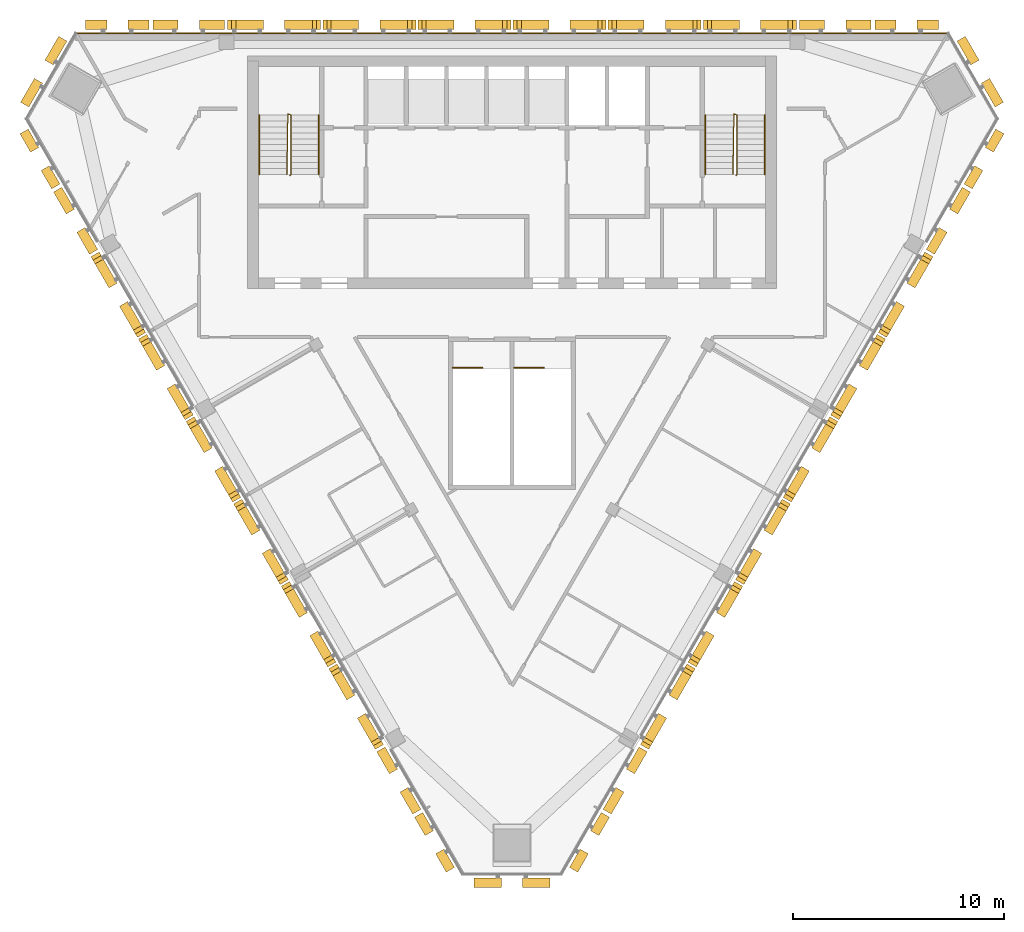
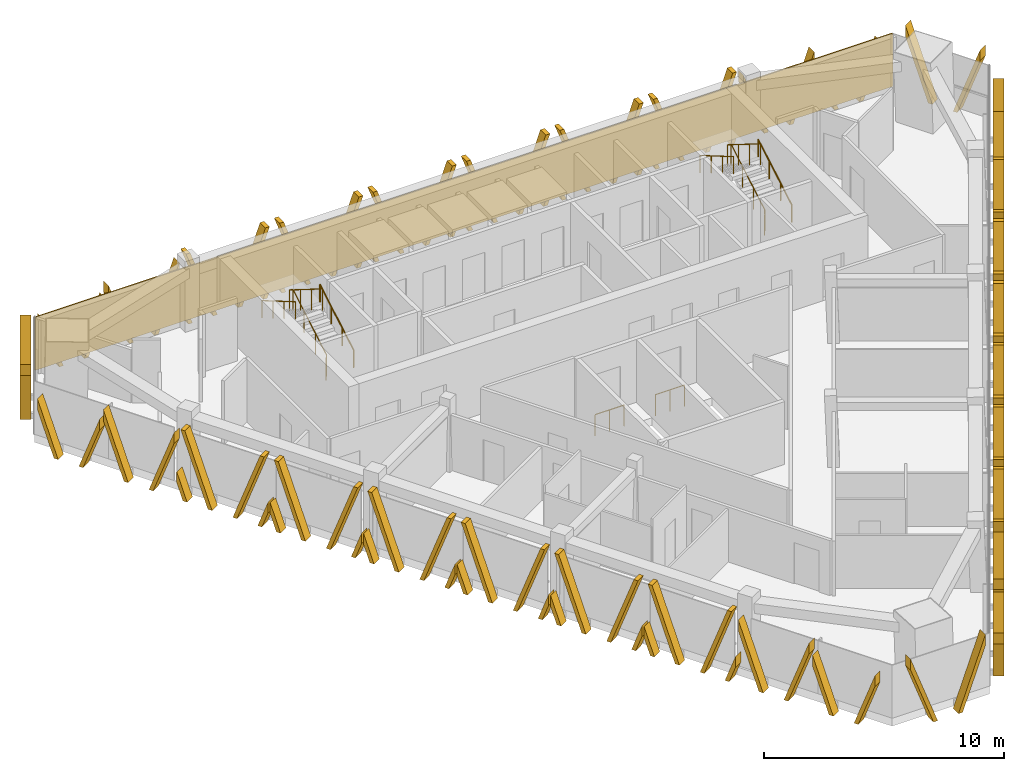
# One storey, part 11 of 12: 33 shading devices, 8 railings, 1 covering.
"""IFC4 building model written with IfcOpenShell, lengths in metres."""

from ifc_helpers import new_model, si_unit, direction, frame, frame_2d, origin, origin_2d, place, context, subcontext, project, spatial, polyline, rectangle, circle, outline, extrude, source, transform, mapped, material, layer, layer_set, type_object, element, save


model = new_model("IFC4")

# Units and contexts
model_context = context("Model", 3, precision=1e-05, world=origin(), true_north=direction((0.0, 1.0)))
body_context = subcontext(model_context, "Body", "Model", "MODEL_VIEW")
ifc_project = project(units=[si_unit("LENGTHUNIT", "METRE"), si_unit("AREAUNIT", "SQUARE_METRE"), si_unit("VOLUMEUNIT", "CUBIC_METRE"), si_unit("PLANEANGLEUNIT", "RADIAN"), si_unit("MASSUNIT", "GRAM", prefix="KILO")], contexts=[model_context])

# Site, building, storey
site_placement = place(None, origin())
site = spatial("IfcSite", under=ifc_project, at=site_placement, CompositionType="ELEMENT")
building_placement = place(site_placement, origin())
building = spatial("IfcBuilding", under=site, at=building_placement, Name="Altiplano Prism Tower", CompositionType="ELEMENT")
storey_placement = place(building_placement, frame((0.0, 0.0, 275.199951171875)))
storey = spatial("IfcBuildingStorey", under=building, at=storey_placement, Name="L71", CompositionType="ELEMENT", Elevation=275.199951171875)

# Railings
ifc_material_1 = material(Name="Steel S355", Category="steel")
railing_type_1 = type_object("IfcRailingType", Name="Stair guard 1100", PredefinedType="GUARDRAIL", material=ifc_material_1)
railing_1_placement = place(storey_placement, frame((74.5, 98.25, 0.0)))
element("IfcRailing", 1, at=railing_1_placement, inside=storey, type_object=railing_type_1, Name="L71 ST1 stair guard 1", PredefinedType="GUARDRAIL", context=body_context, shape_type="SweptSolid", body=[
    extrude(circle(Radius=0.02392578125, at=origin_2d()), frame((0.0, 0.0, 1.076171875), z_axis=(0.280808744504, 0.280808744504, 0.917765164963), x_axis=(-0.707106781187, 0.707106781187, 0.0)), (0.0, 0.0, 1.0), 0.17822265625),
    extrude(circle(Radius=0.02392578125, at=origin_2d()), frame((0.050048828125, 0.050048828125, 1.23974609375), z_axis=(0.0, 0.863360870873, 0.504586966384), x_axis=(-1.0, 0.0, 0.0)), (0.0, 0.0, 1.0), 3.2431640625),
    extrude(circle(Radius=0.02392578125, at=origin_2d()), frame((0.050048828125, 2.85009765625, 2.8759765625), z_axis=(-0.949145278916, 0.314838433982, 0.0), x_axis=(-0.314838433982, -0.949145278916, 0.0)), (0.0, 0.0, 1.0), 0.158203125),
    extrude(circle(Radius=0.02392578125, at=origin_2d()), frame((-0.10009765625, 2.89990234375, 2.8759765625), z_axis=(-0.01477401265, -0.845377694409, 0.533964682676), x_axis=(0.999847325713, -0.01747355902, 0.0)), (0.0, 0.0, 1.0), 3.37109375),
    extrude(circle(Radius=0.02099609375, at=origin_2d()), origin(), (0.0, 0.0, 1.0), 1.052001953125),
    extrude(circle(Radius=0.02099609375, at=origin_2d()), frame((0.050048828125, 0.050048828125, 0.16357421875)), (0.0, 0.0, 1.0), 1.052001953125),
    extrude(circle(Radius=0.02099609375, at=origin_2d()), frame((0.050048828125, 0.9833984375, 0.708984375)), (0.0, 0.0, 1.0), 1.052001953125),
    extrude(circle(Radius=0.02099609375, at=origin_2d()), frame((0.050048828125, 1.916748046875, 1.254638671875)), (0.0, 0.0, 1.0), 1.052001953125),
    extrude(circle(Radius=0.02099609375, at=origin_2d()), frame((0.050048828125, 2.85009765625, 1.800048828125)), (0.0, 0.0, 1.0), 1.052001953125),
    extrude(circle(Radius=0.02099609375, at=origin_2d()), frame((-0.10009765625, 2.89990234375, 1.800048828125)), (0.0, 0.0, 1.0), 1.052001953125),
    extrude(circle(Radius=0.02099609375, at=origin_2d()), frame((-0.11669921875, 1.949951171875, 2.400146484375)), (0.0, 0.0, 1.0), 1.052001953125),
    extrude(circle(Radius=0.02099609375, at=origin_2d()), frame((-0.13330078125, 1.0, 3.0)), (0.0, 0.0, 1.0), 1.052001953125),
    extrude(circle(Radius=0.02099609375, at=origin_2d()), frame((-0.14990234375, 0.050048828125, 3.60009765625)), (0.0, 0.0, 1.0), 1.052001953125),
])
railing_2_placement = place(storey_placement, frame((95.60009765625, 98.25, 0.0)))
element("IfcRailing", 2, at=railing_2_placement, inside=storey, type_object=railing_type_1, Name="L71 ST2 stair guard 1", PredefinedType="GUARDRAIL", context=body_context, shape_type="SweptSolid", body=[
    extrude(circle(Radius=0.02392578125, at=origin_2d()), frame((0.0, 0.0, 1.076171875), z_axis=(0.279546231943, 0.280916556609, 0.91811752648), x_axis=(-0.708833529934, 0.705375805398, 0.0)), (0.0, 0.0, 1.0), 0.17822265625),
    extrude(circle(Radius=0.02392578125, at=origin_2d()), frame((0.0498046875, 0.050048828125, 1.23974609375), z_axis=(0.0, 0.863360870873, 0.504586966384), x_axis=(-1.0, 0.0, 0.0)), (0.0, 0.0, 1.0), 3.2431640625),
    extrude(circle(Radius=0.02392578125, at=origin_2d()), frame((0.0498046875, 2.85009765625, 2.8759765625), z_axis=(-0.948991962702, 0.315300261223, 0.0), x_axis=(-0.315300261223, -0.948991962702, 0.0)), (0.0, 0.0, 1.0), 0.157958984375),
    extrude(circle(Radius=0.02392578125, at=origin_2d()), frame((-0.10009765625, 2.89990234375, 2.8759765625), z_axis=(-0.014846418356, -0.845376787675, 0.533964109957), x_axis=(0.999845825584, -0.017559187376, 0.0)), (0.0, 0.0, 1.0), 3.37109375),
    extrude(circle(Radius=0.02099609375, at=origin_2d()), origin(), (0.0, 0.0, 1.0), 1.052001953125),
    extrude(circle(Radius=0.02099609375, at=origin_2d()), frame((0.0498046875, 0.050048828125, 0.16357421875)), (0.0, 0.0, 1.0), 1.052001953125),
    extrude(circle(Radius=0.02099609375, at=origin_2d()), frame((0.0498046875, 0.9833984375, 0.708984375)), (0.0, 0.0, 1.0), 1.052001953125),
    extrude(circle(Radius=0.02099609375, at=origin_2d()), frame((0.0498046875, 1.916748046875, 1.254638671875)), (0.0, 0.0, 1.0), 1.052001953125),
    extrude(circle(Radius=0.02099609375, at=origin_2d()), frame((0.0498046875, 2.85009765625, 1.800048828125)), (0.0, 0.0, 1.0), 1.052001953125),
    extrude(circle(Radius=0.02099609375, at=origin_2d()), frame((-0.10009765625, 2.89990234375, 1.800048828125)), (0.0, 0.0, 1.0), 1.052001953125),
    extrude(circle(Radius=0.02099609375, at=origin_2d()), frame((-0.11669921875, 1.949951171875, 2.400146484375)), (0.0, 0.0, 1.0), 1.052001953125),
    extrude(circle(Radius=0.02099609375, at=origin_2d()), frame((-0.133544921875, 1.0, 3.0)), (0.0, 0.0, 1.0), 1.052001953125),
    extrude(circle(Radius=0.02099609375, at=origin_2d()), frame((-0.150146484375, 0.050048828125, 3.60009765625)), (0.0, 0.0, 1.0), 1.052001953125),
])
railing_3_placement = place(storey_placement, frame((82.199951171875, 89.14990234375, 0.0)))
element("IfcRailing", 3, at=railing_3_placement, inside=storey, type_object=railing_type_1, Name="L71 ST3A top well guard 1", PredefinedType="GUARDRAIL", context=body_context, shape_type="SweptSolid", body=[
    extrude(circle(Radius=0.02392578125, at=origin_2d()), frame((0.0, 0.0, 1.076171875), z_axis=(1.0, 0.0, 0.0), x_axis=(0.0, 1.0, 0.0)), (0.0, 0.0, 1.0), 1.400146484375),
    extrude(circle(Radius=0.02099609375, at=origin_2d()), origin(), (0.0, 0.0, 1.0), 1.052001953125),
    extrude(circle(Radius=0.02099609375, at=origin_2d()), frame((0.7001953125, 0.0, 0.0)), (0.0, 0.0, 1.0), 1.052001953125),
    extrude(circle(Radius=0.02099609375, at=origin_2d()), frame((1.400146484375, 0.0, 0.0)), (0.0, 0.0, 1.0), 1.052001953125),
])
railing_4_placement = place(storey_placement, frame((85.10009765625, 89.14990234375, 0.0)))
element("IfcRailing", 4, at=railing_4_placement, inside=storey, type_object=railing_type_1, Name="L71 ST3B top well guard 1", PredefinedType="GUARDRAIL", context=body_context, shape_type="SweptSolid", body=[
    extrude(circle(Radius=0.02392578125, at=origin_2d()), frame((0.0, 0.0, 1.076171875), z_axis=(1.0, 0.0, 0.0), x_axis=(0.0, 1.0, 0.0)), (0.0, 0.0, 1.0), 1.39990234375),
    extrude(circle(Radius=0.02099609375, at=origin_2d()), origin(), (0.0, 0.0, 1.0), 1.052001953125),
    extrude(circle(Radius=0.02099609375, at=origin_2d()), frame((0.699951171875, 0.0, 0.0)), (0.0, 0.0, 1.0), 1.052001953125),
    extrude(circle(Radius=0.02099609375, at=origin_2d()), frame((1.39990234375, 0.0, 0.0)), (0.0, 0.0, 1.0), 1.052001953125),
])
railing_type_2 = type_object("IfcRailingType", Name="Stair handrail 900", PredefinedType="HANDRAIL", material=ifc_material_1)
railing_5_placement = place(storey_placement, frame((75.85009765625, 98.300048828125, 0.16357421875)))
element("IfcRailing", 5, at=railing_5_placement, inside=storey, type_object=railing_type_2, Name="L71 ST1 stair handrail 1", PredefinedType="HANDRAIL", context=body_context, shape_type="SweptSolid", body=[
    extrude(circle(Radius=0.02392578125, at=origin_2d()), frame((0.0, 0.0, 0.8759765625), z_axis=(0.0, 0.863360870873, 0.504586966384), x_axis=(-1.0, 0.0, 0.0)), (0.0, 0.0, 1.0), 3.2431640625),
    extrude(circle(Radius=0.02099609375, at=origin_2d()), origin(), (0.0, 0.0, 1.0), 0.851806640625),
    extrude(circle(Radius=0.02099609375, at=origin_2d()), frame((0.0, 0.933349609375, 0.54541015625)), (0.0, 0.0, 1.0), 0.851806640625),
    extrude(circle(Radius=0.02099609375, at=origin_2d()), frame((0.0, 1.86669921875, 1.091064453125)), (0.0, 0.0, 1.0), 0.851806640625),
    extrude(circle(Radius=0.02099609375, at=origin_2d()), frame((0.0, 2.800048828125, 1.636474609375)), (0.0, 0.0, 1.0), 0.851806640625),
])
railing_6_placement = place(storey_placement, frame((73.050048828125, 101.10009765625, 1.963623046875)))
element("IfcRailing", 6, at=railing_6_placement, inside=storey, type_object=railing_type_2, Name="L71 ST1 stair handrail 2", PredefinedType="HANDRAIL", context=body_context, shape_type="SweptSolid", body=[
    extrude(circle(Radius=0.02392578125, at=origin_2d()), frame((0.0, 0.0, 0.8759765625), z_axis=(0.0, -0.863360870873, 0.504586966384), x_axis=(1.0, 0.0, 0.0)), (0.0, 0.0, 1.0), 3.2431640625),
    extrude(circle(Radius=0.02099609375, at=origin_2d()), origin(), (0.0, 0.0, 1.0), 0.851806640625),
    extrude(circle(Radius=0.02099609375, at=origin_2d()), frame((0.0, -0.933349609375, 0.54541015625)), (0.0, 0.0, 1.0), 0.851806640625),
    extrude(circle(Radius=0.02099609375, at=origin_2d()), frame((0.0, -1.86669921875, 1.091064453125)), (0.0, 0.0, 1.0), 0.851806640625),
    extrude(circle(Radius=0.02099609375, at=origin_2d()), frame((0.0, -2.800048828125, 1.636474609375)), (0.0, 0.0, 1.0), 0.851806640625),
])
railing_7_placement = place(storey_placement, frame((96.949951171875, 98.300048828125, 0.16357421875)))
element("IfcRailing", 7, at=railing_7_placement, inside=storey, type_object=railing_type_2, Name="L71 ST2 stair handrail 1", PredefinedType="HANDRAIL", context=body_context, shape_type="SweptSolid", body=[
    extrude(circle(Radius=0.02392578125, at=origin_2d()), frame((0.0, 0.0, 0.8759765625), z_axis=(0.0, 0.863360870873, 0.504586966384), x_axis=(-1.0, 0.0, 0.0)), (0.0, 0.0, 1.0), 3.2431640625),
    extrude(circle(Radius=0.02099609375, at=origin_2d()), origin(), (0.0, 0.0, 1.0), 0.851806640625),
    extrude(circle(Radius=0.02099609375, at=origin_2d()), frame((0.0, 0.933349609375, 0.54541015625)), (0.0, 0.0, 1.0), 0.851806640625),
    extrude(circle(Radius=0.02099609375, at=origin_2d()), frame((0.0, 1.86669921875, 1.091064453125)), (0.0, 0.0, 1.0), 0.851806640625),
    extrude(circle(Radius=0.02099609375, at=origin_2d()), frame((0.0, 2.800048828125, 1.636474609375)), (0.0, 0.0, 1.0), 0.851806640625),
])
railing_8_placement = place(storey_placement, frame((94.14990234375, 101.10009765625, 1.963623046875)))
element("IfcRailing", 8, at=railing_8_placement, inside=storey, type_object=railing_type_2, Name="L71 ST2 stair handrail 2", PredefinedType="HANDRAIL", context=body_context, shape_type="SweptSolid", body=[
    extrude(circle(Radius=0.02392578125, at=origin_2d()), frame((0.0, 0.0, 0.8759765625), z_axis=(0.0, -0.863360870873, 0.504586966384), x_axis=(1.0, 0.0, 0.0)), (0.0, 0.0, 1.0), 3.2431640625),
    extrude(circle(Radius=0.02099609375, at=origin_2d()), origin(), (0.0, 0.0, 1.0), 0.851806640625),
    extrude(circle(Radius=0.02099609375, at=origin_2d()), frame((0.0, -0.933349609375, 0.54541015625)), (0.0, 0.0, 1.0), 0.851806640625),
    extrude(circle(Radius=0.02099609375, at=origin_2d()), frame((0.0, -1.86669921875, 1.091064453125)), (0.0, 0.0, 1.0), 0.851806640625),
    extrude(circle(Radius=0.02099609375, at=origin_2d()), frame((0.0, -2.800048828125, 1.636474609375)), (0.0, 0.0, 1.0), 0.851806640625),
])

# Covering
ifc_material_2 = material(Name="Warm limestone cast stone", Category="masonry")
ifc_layer = layer(ifc_material_2, 0.06005859375)
ifc_layer_set = layer_set([ifc_layer], Name="Warm limestone cast stone")
covering_type = type_object("IfcCoveringType", Name="Stone cladding 60", PredefinedType="CLADDING", material=ifc_layer_set)
covering_placement = place(storey_placement, frame((64.349853515625, 104.969970703125, 0.0), z_axis=(0.0, 0.0, 1.0), x_axis=(1.0, 0.0, 0.0)))
element("IfcCovering", 9, at=covering_placement, inside=storey, type_object=covering_type, Name="Stone cladding north face L71", PredefinedType="CLADDING", context=body_context, shape_type="SweptSolid", body=[
    extrude(rectangle(XDim=41.30029296875, YDim=0.06005859375, at=frame_2d((20.650146484375, 0.0))), origin(), (0.0, 0.0, 1.0), 2.699951171875),
])

# Shading devices
shading_device_type_1 = type_object("IfcShadingDeviceType", Name="Stone fin panel, standard unit", PredefinedType="USERDEFINED", material=ifc_material_2)
shared_shape_1 = source(origin(), body_context, "Body", "SweptSolid", [
    extrude(outline(polyline([(-2.199951171875, 1.373779296875), (-2.199951171875, 0.82421875), (-1.89990234375, 0.0), (-1.699951171875, 0.0), (-2.199951171875, 1.373779296875)])), frame((0.0, -0.14990234375, 0.0), z_axis=(0.0, -1.0, 0.0), x_axis=(1.0, 0.0, 0.0)), (0.0, 0.0, 1.0), 0.4501953125),
    extrude(outline(polyline([(-2.01025390625, 3.60009765625), (-0.699951171875, 0.0), (-0.5, 0.0), (-1.810302734375, 3.60009765625), (-2.01025390625, 3.60009765625)])), frame((0.0, -0.14990234375, 0.0), z_axis=(0.0, -1.0, 0.0), x_axis=(1.0, 0.0, 0.0)), (0.0, 0.0, 1.0), 0.4501953125),
    extrude(outline(polyline([(1.810302734375, 3.60009765625), (0.5, 0.0), (0.699951171875, 0.0), (2.01025390625, 3.60009765625), (1.810302734375, 3.60009765625)])), frame((0.0, -0.14990234375, 0.0), z_axis=(0.0, -1.0, 0.0), x_axis=(1.0, 0.0, 0.0)), (0.0, 0.0, 1.0), 0.4501953125),
    extrude(outline(polyline([(2.199951171875, 0.82421875), (2.199951171875, 1.373779296875), (1.699951171875, 0.0), (1.89990234375, 0.0), (2.199951171875, 0.82421875)])), frame((0.0, -0.14990234375, 0.0), z_axis=(0.0, -1.0, 0.0), x_axis=(1.0, 0.0, 0.0)), (0.0, 0.0, 1.0), 0.4501953125),
])
shading_device_1_placement = place(storey_placement, origin())
element("IfcShadingDevice", 10, at=shading_device_1_placement, inside=storey, type_object=shading_device_type_1, Name="Fin L71 north face 3", ObjectType="FIN", PredefinedType="USERDEFINED", context=body_context, shape_type="MappedRepresentation", body=[
    mapped(shared_shape_1, transform((96.25, 105.0, -0.39990234375), x_axis=(-1.0, 0.0, 0.0), y_axis=(0.0, -1.0, 0.0), z_axis=(0.0, 0.0, 1.0))),
])
shading_device_2_placement = place(storey_placement, origin())
element("IfcShadingDevice", 11, at=shading_device_2_placement, inside=storey, type_object=shading_device_type_1, Name="Fin L71 north face 4", ObjectType="FIN", PredefinedType="USERDEFINED", context=body_context, shape_type="MappedRepresentation", body=[
    mapped(shared_shape_1, transform((91.75, 105.0, -0.39990234375), x_axis=(-1.0, 0.0, 0.0), y_axis=(0.0, -1.0, 0.0), z_axis=(0.0, 0.0, 1.0))),
])
shading_device_3_placement = place(storey_placement, origin())
element("IfcShadingDevice", 12, at=shading_device_3_placement, inside=storey, type_object=shading_device_type_1, Name="Fin L71 north face 5", ObjectType="FIN", PredefinedType="USERDEFINED", context=body_context, shape_type="MappedRepresentation", body=[
    mapped(shared_shape_1, transform((87.25, 105.0, -0.39990234375), x_axis=(-1.0, 0.0, 0.0), y_axis=(0.0, -1.0, 0.0), z_axis=(0.0, 0.0, 1.0))),
])
shading_device_4_placement = place(storey_placement, origin())
element("IfcShadingDevice", 13, at=shading_device_4_placement, inside=storey, type_object=shading_device_type_1, Name="Fin L71 north face 6", ObjectType="FIN", PredefinedType="USERDEFINED", context=body_context, shape_type="MappedRepresentation", body=[
    mapped(shared_shape_1, transform((82.75, 105.0, -0.39990234375), x_axis=(-1.0, 0.0, 0.0), y_axis=(0.0, -1.0, 0.0), z_axis=(0.0, 0.0, 1.0))),
])
shading_device_5_placement = place(storey_placement, origin())
element("IfcShadingDevice", 14, at=shading_device_5_placement, inside=storey, type_object=shading_device_type_1, Name="Fin L71 north face 7", ObjectType="FIN", PredefinedType="USERDEFINED", context=body_context, shape_type="MappedRepresentation", body=[
    mapped(shared_shape_1, transform((78.25, 105.0, -0.39990234375), x_axis=(-1.0, 0.0, 0.0), y_axis=(0.0, -1.0, 0.0), z_axis=(0.0, 0.0, 1.0))),
])
shading_device_6_placement = place(storey_placement, origin())
element("IfcShadingDevice", 15, at=shading_device_6_placement, inside=storey, type_object=shading_device_type_1, Name="Fin L71 north face 8", ObjectType="FIN", PredefinedType="USERDEFINED", context=body_context, shape_type="MappedRepresentation", body=[
    mapped(shared_shape_1, transform((73.75, 105.0, -0.39990234375), x_axis=(-1.0, 0.0, 0.0), y_axis=(0.0, -1.0, 0.0), z_axis=(0.0, 0.0, 1.0))),
])
shading_device_7_placement = place(storey_placement, origin())
element("IfcShadingDevice", 16, at=shading_device_7_placement, inside=storey, type_object=shading_device_type_1, Name="Fin L71 south-west face 3", ObjectType="FIN", PredefinedType="USERDEFINED", context=body_context, shape_type="MappedRepresentation", body=[
    mapped(shared_shape_1, transform((66.703369140625, 92.794677734375, -0.39990234375), x_axis=(0.499999996041, -0.86602540607, 0.0), y_axis=(0.86602540607, 0.499999996041, 0.0), z_axis=(0.0, 0.0, 1.0))),
])
shading_device_8_placement = place(storey_placement, origin())
element("IfcShadingDevice", 17, at=shading_device_8_placement, inside=storey, type_object=shading_device_type_1, Name="Fin L71 south-west face 4", ObjectType="FIN", PredefinedType="USERDEFINED", context=body_context, shape_type="MappedRepresentation", body=[
    mapped(shared_shape_1, transform((68.953369140625, 88.897705078125, -0.39990234375), x_axis=(0.499999996041, -0.86602540607, 0.0), y_axis=(0.86602540607, 0.499999996041, 0.0), z_axis=(0.0, 0.0, 1.0))),
])
shading_device_9_placement = place(storey_placement, origin())
element("IfcShadingDevice", 18, at=shading_device_9_placement, inside=storey, type_object=shading_device_type_1, Name="Fin L71 south-west face 5", ObjectType="FIN", PredefinedType="USERDEFINED", context=body_context, shape_type="MappedRepresentation", body=[
    mapped(shared_shape_1, transform((71.203369140625, 85.00048828125, -0.39990234375), x_axis=(0.499999996041, -0.86602540607, 0.0), y_axis=(0.86602540607, 0.499999996041, 0.0), z_axis=(0.0, 0.0, 1.0))),
])
shading_device_10_placement = place(storey_placement, origin())
element("IfcShadingDevice", 19, at=shading_device_10_placement, inside=storey, type_object=shading_device_type_1, Name="Fin L71 south-west face 6", ObjectType="FIN", PredefinedType="USERDEFINED", context=body_context, shape_type="MappedRepresentation", body=[
    mapped(shared_shape_1, transform((73.453369140625, 81.103515625, -0.39990234375), x_axis=(0.499999996041, -0.86602540607, 0.0), y_axis=(0.86602540607, 0.499999996041, 0.0), z_axis=(0.0, 0.0, 1.0))),
])
shading_device_11_placement = place(storey_placement, origin())
element("IfcShadingDevice", 20, at=shading_device_11_placement, inside=storey, type_object=shading_device_type_1, Name="Fin L71 south-west face 7", ObjectType="FIN", PredefinedType="USERDEFINED", context=body_context, shape_type="MappedRepresentation", body=[
    mapped(shared_shape_1, transform((75.703369140625, 77.206298828125, -0.39990234375), x_axis=(0.499999996041, -0.86602540607, 0.0), y_axis=(0.86602540607, 0.499999996041, 0.0), z_axis=(0.0, 0.0, 1.0))),
])
shading_device_12_placement = place(storey_placement, origin())
element("IfcShadingDevice", 21, at=shading_device_12_placement, inside=storey, type_object=shading_device_type_1, Name="Fin L71 south-west face 8", ObjectType="FIN", PredefinedType="USERDEFINED", context=body_context, shape_type="MappedRepresentation", body=[
    mapped(shared_shape_1, transform((77.953369140625, 73.30908203125, -0.39990234375), x_axis=(0.499999996041, -0.86602540607, 0.0), y_axis=(0.86602540607, 0.499999996041, 0.0), z_axis=(0.0, 0.0, 1.0))),
])
shading_device_13_placement = place(storey_placement, origin())
element("IfcShadingDevice", 22, at=shading_device_13_placement, inside=storey, type_object=shading_device_type_1, Name="Fin L71 south-east face 3", ObjectType="FIN", PredefinedType="USERDEFINED", context=body_context, shape_type="MappedRepresentation", body=[
    mapped(shared_shape_1, transform((92.046630859375, 73.30908203125, -0.39990234375), x_axis=(0.499999996041, 0.86602540607, 0.0), y_axis=(-0.86602540607, 0.499999996041, 0.0), z_axis=(0.0, 0.0, 1.0))),
])
shading_device_14_placement = place(storey_placement, origin())
element("IfcShadingDevice", 23, at=shading_device_14_placement, inside=storey, type_object=shading_device_type_1, Name="Fin L71 south-east face 4", ObjectType="FIN", PredefinedType="USERDEFINED", context=body_context, shape_type="MappedRepresentation", body=[
    mapped(shared_shape_1, transform((94.296630859375, 77.206298828125, -0.39990234375), x_axis=(0.499999996041, 0.86602540607, 0.0), y_axis=(-0.86602540607, 0.499999996041, 0.0), z_axis=(0.0, 0.0, 1.0))),
])
shading_device_15_placement = place(storey_placement, origin())
element("IfcShadingDevice", 24, at=shading_device_15_placement, inside=storey, type_object=shading_device_type_1, Name="Fin L71 south-east face 5", ObjectType="FIN", PredefinedType="USERDEFINED", context=body_context, shape_type="MappedRepresentation", body=[
    mapped(shared_shape_1, transform((96.546630859375, 81.103515625, -0.39990234375), x_axis=(0.499999996041, 0.86602540607, 0.0), y_axis=(-0.86602540607, 0.499999996041, 0.0), z_axis=(0.0, 0.0, 1.0))),
])
shading_device_16_placement = place(storey_placement, origin())
element("IfcShadingDevice", 25, at=shading_device_16_placement, inside=storey, type_object=shading_device_type_1, Name="Fin L71 south-east face 6", ObjectType="FIN", PredefinedType="USERDEFINED", context=body_context, shape_type="MappedRepresentation", body=[
    mapped(shared_shape_1, transform((98.796630859375, 85.00048828125, -0.39990234375), x_axis=(0.499999996041, 0.86602540607, 0.0), y_axis=(-0.86602540607, 0.499999996041, 0.0), z_axis=(0.0, 0.0, 1.0))),
])
shading_device_17_placement = place(storey_placement, origin())
element("IfcShadingDevice", 26, at=shading_device_17_placement, inside=storey, type_object=shading_device_type_1, Name="Fin L71 south-east face 7", ObjectType="FIN", PredefinedType="USERDEFINED", context=body_context, shape_type="MappedRepresentation", body=[
    mapped(shared_shape_1, transform((101.046630859375, 88.897705078125, -0.39990234375), x_axis=(0.499999996041, 0.86602540607, 0.0), y_axis=(-0.86602540607, 0.499999996041, 0.0), z_axis=(0.0, 0.0, 1.0))),
])
shading_device_18_placement = place(storey_placement, origin())
element("IfcShadingDevice", 27, at=shading_device_18_placement, inside=storey, type_object=shading_device_type_1, Name="Fin L71 south-east face 8", ObjectType="FIN", PredefinedType="USERDEFINED", context=body_context, shape_type="MappedRepresentation", body=[
    mapped(shared_shape_1, transform((103.296630859375, 92.794677734375, -0.39990234375), x_axis=(0.499999996041, 0.86602540607, 0.0), y_axis=(-0.86602540607, 0.499999996041, 0.0), z_axis=(0.0, 0.0, 1.0))),
])
shading_device_type_2 = type_object("IfcShadingDeviceType", Name="Stone fin panel, narrow closing bay", PredefinedType="USERDEFINED", material=ifc_material_2)
shared_shape_2 = source(origin(), body_context, "Body", "SweptSolid", [
    extrude(outline(polyline([(-1.699951171875, 3.297119140625), (-1.699951171875, 2.74755859375), (-0.699951171875, 0.0), (-0.5, 0.0), (-1.699951171875, 3.297119140625)])), frame((0.0, -0.14990234375, 0.0), z_axis=(0.0, -1.0, 0.0), x_axis=(1.0, 0.0, 0.0)), (0.0, 0.0, 1.0), 0.4501953125),
    extrude(outline(polyline([(1.699951171875, 2.74755859375), (1.699951171875, 3.297119140625), (0.5, 0.0), (0.699951171875, 0.0), (1.699951171875, 2.74755859375)])), frame((0.0, -0.14990234375, 0.0), z_axis=(0.0, -1.0, 0.0), x_axis=(1.0, 0.0, 0.0)), (0.0, 0.0, 1.0), 0.4501953125),
])
shading_device_19_placement = place(storey_placement, origin())
element("IfcShadingDevice", 28, at=shading_device_19_placement, inside=storey, type_object=shading_device_type_2, Name="Fin L71 north face 2", ObjectType="FIN", PredefinedType="USERDEFINED", context=body_context, shape_type="MappedRepresentation", body=[
    mapped(shared_shape_2, transform((100.28759765625, 105.0, -0.39990234375), x_axis=(-1.0, 0.0, 0.0), y_axis=(0.0, -1.0, 0.0), z_axis=(0.0, 0.0, 1.0))),
])
shading_device_20_placement = place(storey_placement, origin())
element("IfcShadingDevice", 29, at=shading_device_20_placement, inside=storey, type_object=shading_device_type_2, Name="Fin L71 north face 9", ObjectType="FIN", PredefinedType="USERDEFINED", context=body_context, shape_type="MappedRepresentation", body=[
    mapped(shared_shape_2, transform((69.71240234375, 105.0, -0.39990234375), x_axis=(-1.0, 0.0, 0.0), y_axis=(0.0, -1.0, 0.0), z_axis=(0.0, 0.0, 1.0))),
])
shading_device_21_placement = place(storey_placement, origin())
element("IfcShadingDevice", 30, at=shading_device_21_placement, inside=storey, type_object=shading_device_type_2, Name="Fin L71 south-west face 2", ObjectType="FIN", PredefinedType="USERDEFINED", context=body_context, shape_type="MappedRepresentation", body=[
    mapped(shared_shape_2, transform((64.6845703125, 96.291259765625, -0.39990234375), x_axis=(0.499999996041, -0.86602540607, 0.0), y_axis=(0.86602540607, 0.499999996041, 0.0), z_axis=(0.0, 0.0, 1.0))),
])
shading_device_22_placement = place(storey_placement, origin())
element("IfcShadingDevice", 31, at=shading_device_22_placement, inside=storey, type_object=shading_device_type_2, Name="Fin L71 south-west face 9", ObjectType="FIN", PredefinedType="USERDEFINED", context=body_context, shape_type="MappedRepresentation", body=[
    mapped(shared_shape_2, transform((79.97216796875, 69.8125, -0.39990234375), x_axis=(0.499999996041, -0.86602540607, 0.0), y_axis=(0.86602540607, 0.499999996041, 0.0), z_axis=(0.0, 0.0, 1.0))),
])
shading_device_23_placement = place(storey_placement, origin())
element("IfcShadingDevice", 32, at=shading_device_23_placement, inside=storey, type_object=shading_device_type_2, Name="Fin L71 south-east face 2", ObjectType="FIN", PredefinedType="USERDEFINED", context=body_context, shape_type="MappedRepresentation", body=[
    mapped(shared_shape_2, transform((90.02783203125, 69.8125, -0.39990234375), x_axis=(0.499999996041, 0.86602540607, 0.0), y_axis=(-0.86602540607, 0.499999996041, 0.0), z_axis=(0.0, 0.0, 1.0))),
])
shading_device_24_placement = place(storey_placement, origin())
element("IfcShadingDevice", 33, at=shading_device_24_placement, inside=storey, type_object=shading_device_type_2, Name="Fin L71 south-east face 9", ObjectType="FIN", PredefinedType="USERDEFINED", context=body_context, shape_type="MappedRepresentation", body=[
    mapped(shared_shape_2, transform((105.3154296875, 96.291259765625, -0.39990234375), x_axis=(0.499999996041, 0.86602540607, 0.0), y_axis=(-0.86602540607, 0.499999996041, 0.0), z_axis=(0.0, 0.0, 1.0))),
])
shading_device_type_3 = type_object("IfcShadingDeviceType", Name="Stone fin panel, chamfer unit", PredefinedType="USERDEFINED", material=ifc_material_2)
shared_shape_3 = source(origin(), body_context, "Body", "SweptSolid", [
    extrude(outline(polyline([(-1.800048828125, 3.57177734375), (-1.800048828125, 3.022216796875), (-0.699951171875, 0.0), (-0.5, 0.0), (-1.800048828125, 3.57177734375)])), frame((0.0, -0.14990234375, 0.0), z_axis=(0.0, -1.0, 0.0), x_axis=(1.0, 0.0, 0.0)), (0.0, 0.0, 1.0), 0.4501953125),
    extrude(outline(polyline([(1.800048828125, 3.022216796875), (1.800048828125, 3.57177734375), (0.5, 0.0), (0.699951171875, 0.0), (1.800048828125, 3.022216796875)])), frame((0.0, -0.14990234375, 0.0), z_axis=(0.0, -1.0, 0.0), x_axis=(1.0, 0.0, 0.0)), (0.0, 0.0, 1.0), 0.4501953125),
])
shading_device_25_placement = place(storey_placement, origin())
element("IfcShadingDevice", 34, at=shading_device_25_placement, inside=storey, type_object=shading_device_type_3, Name="Fin L71 north-west chamfer 1", ObjectType="FIN", PredefinedType="USERDEFINED", context=body_context, shape_type="MappedRepresentation", body=[
    mapped(shared_shape_3, transform((63.176513671875, 102.9677734375, -0.39990234375), x_axis=(-0.500000037183, -0.866025382317, 0.0), y_axis=(0.866025382317, -0.500000037183, 0.0), z_axis=(0.0, 0.0, 1.0))),
])
shading_device_26_placement = place(storey_placement, origin())
element("IfcShadingDevice", 35, at=shading_device_26_placement, inside=storey, type_object=shading_device_type_3, Name="Fin L71 south chamfer 1", ObjectType="FIN", PredefinedType="USERDEFINED", context=body_context, shape_type="MappedRepresentation", body=[
    mapped(shared_shape_3, transform((85.0, 65.16845703125, -0.39990234375), x_axis=(1.0, 0.0, 0.0), y_axis=(0.0, 1.0, 0.0), z_axis=(0.0, 0.0, 1.0))),
])
shading_device_27_placement = place(storey_placement, origin())
element("IfcShadingDevice", 36, at=shading_device_27_placement, inside=storey, type_object=shading_device_type_3, Name="Fin L71 north-east chamfer 1", ObjectType="FIN", PredefinedType="USERDEFINED", context=body_context, shape_type="MappedRepresentation", body=[
    mapped(shared_shape_3, transform((106.823486328125, 102.9677734375, -0.39990234375), x_axis=(-0.500000037183, 0.866025382317, 0.0), y_axis=(-0.866025382317, -0.500000037183, 0.0), z_axis=(0.0, 0.0, 1.0))),
])
shared_shape_4 = source(origin(), body_context, "Body", "SweptSolid", [
    extrude(outline(polyline([(-1.5, 2.74755859375), (-1.5, 2.197998046875), (-0.699951171875, 0.0), (-0.5, 0.0), (-1.5, 2.74755859375)])), frame((0.0, -0.14990234375, 0.0), z_axis=(0.0, -1.0, 0.0), x_axis=(1.0, 0.0, 0.0)), (0.0, 0.0, 1.0), 0.4501953125),
    extrude(outline(polyline([(1.5, 2.197998046875), (1.5, 2.74755859375), (0.5, 0.0), (0.699951171875, 0.0), (1.5, 2.197998046875)])), frame((0.0, -0.14990234375, 0.0), z_axis=(0.0, -1.0, 0.0), x_axis=(1.0, 0.0, 0.0)), (0.0, 0.0, 1.0), 0.4501953125),
])
shading_device_28_placement = place(storey_placement, origin())
element("IfcShadingDevice", 37, at=shading_device_28_placement, inside=storey, type_object=shading_device_type_2, Name="Fin L71 north face 1", ObjectType="FIN", PredefinedType="USERDEFINED", context=body_context, shape_type="MappedRepresentation", body=[
    mapped(shared_shape_4, transform((103.66259765625, 105.0, -0.39990234375), x_axis=(-1.0, 0.0, 0.0), y_axis=(0.0, -1.0, 0.0), z_axis=(0.0, 0.0, 1.0))),
])
shading_device_29_placement = place(storey_placement, origin())
element("IfcShadingDevice", 38, at=shading_device_29_placement, inside=storey, type_object=shading_device_type_2, Name="Fin L71 north face 10", ObjectType="FIN", PredefinedType="USERDEFINED", context=body_context, shape_type="MappedRepresentation", body=[
    mapped(shared_shape_4, transform((66.33740234375, 105.0, -0.39990234375), x_axis=(-1.0, 0.0, 0.0), y_axis=(0.0, -1.0, 0.0), z_axis=(0.0, 0.0, 1.0))),
])
shading_device_30_placement = place(storey_placement, origin())
element("IfcShadingDevice", 39, at=shading_device_30_placement, inside=storey, type_object=shading_device_type_2, Name="Fin L71 south-west face 1", ObjectType="FIN", PredefinedType="USERDEFINED", context=body_context, shape_type="MappedRepresentation", body=[
    mapped(shared_shape_4, transform((62.9970703125, 99.214111328125, -0.39990234375), x_axis=(0.499999996041, -0.86602540607, 0.0), y_axis=(0.86602540607, 0.499999996041, 0.0), z_axis=(0.0, 0.0, 1.0))),
])
shading_device_31_placement = place(storey_placement, origin())
element("IfcShadingDevice", 40, at=shading_device_31_placement, inside=storey, type_object=shading_device_type_2, Name="Fin L71 south-west face 10", ObjectType="FIN", PredefinedType="USERDEFINED", context=body_context, shape_type="MappedRepresentation", body=[
    mapped(shared_shape_4, transform((81.65966796875, 66.8896484375, -0.39990234375), x_axis=(0.499999996041, -0.86602540607, 0.0), y_axis=(0.86602540607, 0.499999996041, 0.0), z_axis=(0.0, 0.0, 1.0))),
])
shading_device_32_placement = place(storey_placement, origin())
element("IfcShadingDevice", 41, at=shading_device_32_placement, inside=storey, type_object=shading_device_type_2, Name="Fin L71 south-east face 1", ObjectType="FIN", PredefinedType="USERDEFINED", context=body_context, shape_type="MappedRepresentation", body=[
    mapped(shared_shape_4, transform((88.34033203125, 66.8896484375, -0.39990234375), x_axis=(0.499999996041, 0.86602540607, 0.0), y_axis=(-0.86602540607, 0.499999996041, 0.0), z_axis=(0.0, 0.0, 1.0))),
])
shading_device_33_placement = place(storey_placement, origin())
element("IfcShadingDevice", 42, at=shading_device_33_placement, inside=storey, type_object=shading_device_type_2, Name="Fin L71 south-east face 10", ObjectType="FIN", PredefinedType="USERDEFINED", context=body_context, shape_type="MappedRepresentation", body=[
    mapped(shared_shape_4, transform((107.0029296875, 99.214111328125, -0.39990234375), x_axis=(0.499999996041, 0.86602540607, 0.0), y_axis=(-0.86602540607, 0.499999996041, 0.0), z_axis=(0.0, 0.0, 1.0))),
])

save(model, "model.ifc")
